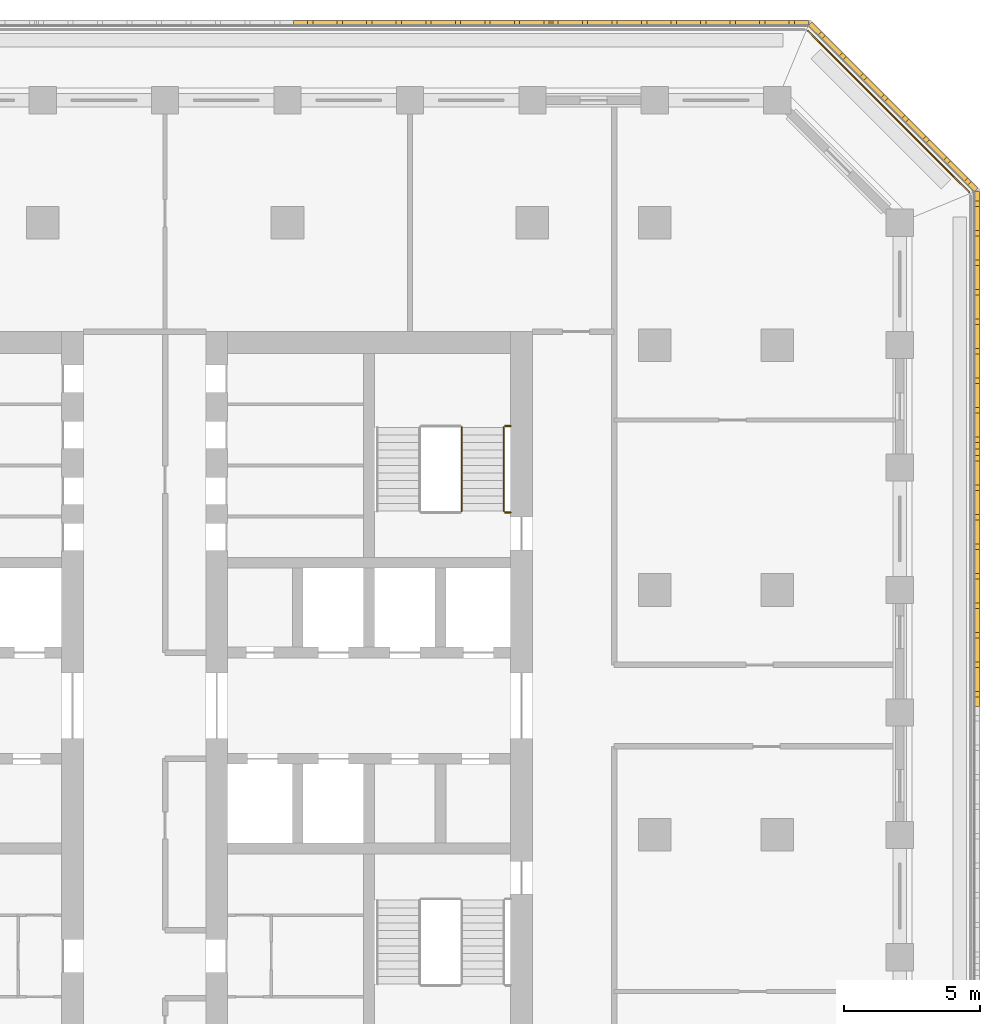
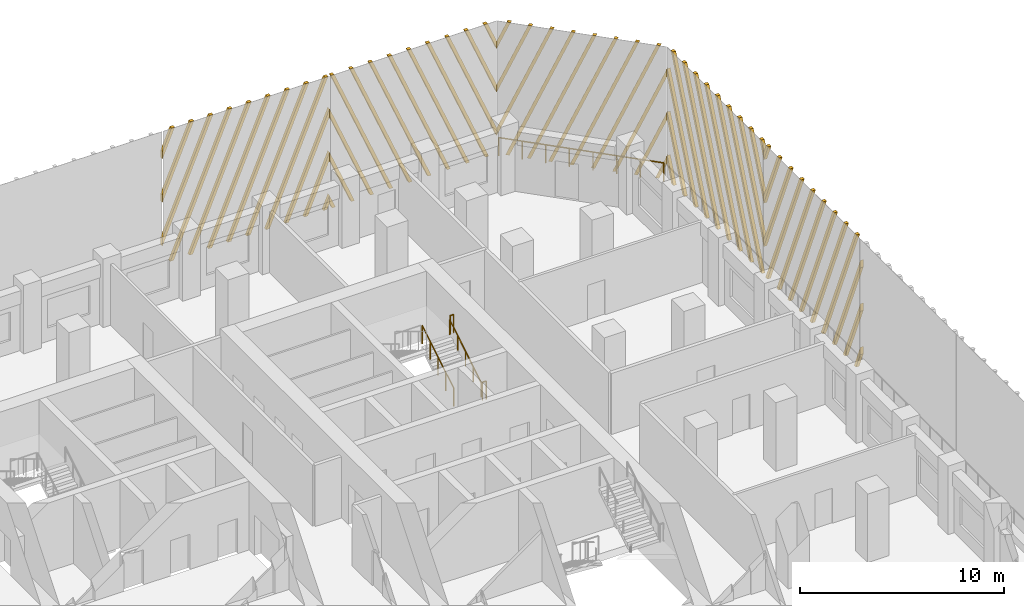
# One storey, part 15 of 16: 5 railings, 5 shading devices.
"""IFC4 building model written with IfcOpenShell, lengths in metres."""

from ifc_helpers import new_model, si_unit, direction, frame, origin, origin_2d, place, context, subcontext, project, spatial, polyline, circle, outline, extrude, source, transform, mapped, material, type_object, element, save


model = new_model("IFC4")

# Units and contexts
model_context = context("Model", 3, precision=1e-05, world=origin(), true_north=direction((0.0, 1.0)))
body_context = subcontext(model_context, "Body", "Model", "MODEL_VIEW")
ifc_project = project(units=[si_unit("LENGTHUNIT", "METRE"), si_unit("AREAUNIT", "SQUARE_METRE"), si_unit("VOLUMEUNIT", "CUBIC_METRE"), si_unit("PLANEANGLEUNIT", "RADIAN"), si_unit("MASSUNIT", "GRAM", prefix="KILO")], contexts=[model_context])

# Site, building, storey
site_placement = place(None, origin())
site = spatial("IfcSite", under=ifc_project, at=site_placement, CompositionType="ELEMENT")
building_placement = place(site_placement, origin())
building = spatial("IfcBuilding", under=site, at=building_placement, Name="Corbel Stack Research Tower", CompositionType="ELEMENT")
storey_placement = place(building_placement, frame((0.0, 0.0, 199.699951171875)))
storey = spatial("IfcBuildingStorey", under=building, at=storey_placement, Name="L45", CompositionType="ELEMENT", Elevation=199.699951171875)

# Railings
ifc_material_1 = material(Name="Steel S355", Category="steel")
railing_type_1 = type_object("IfcRailingType", Name="Stair guard 1100", PredefinedType="GUARDRAIL", material=ifc_material_1)
railing_1_placement = place(storey_placement, frame((15.39990234375, 11.89990234375, 0.1708984375)))
element("IfcRailing", 1, at=railing_1_placement, inside=storey, type_object=railing_type_1, Name="L45 ST-E2 stair guard 1", PredefinedType="GUARDRAIL", context=body_context, shape_type="SweptSolid", body=[
    extrude(circle(Radius=0.02392578125, at=origin_2d()), frame((0.0, 0.0, 1.076171875), z_axis=(0.0, 0.853666305674, 0.52082035152), x_axis=(-1.0, 0.0, 0.0)), (0.0, 0.0, 1.0), 3.608154296875),
    extrude(circle(Radius=0.02099609375, at=origin_2d()), origin(), (0.0, 0.0, 1.0), 1.052001953125),
    extrude(circle(Radius=0.02099609375, at=origin_2d()), frame((0.0, 0.77001953125, 0.4697265625)), (0.0, 0.0, 1.0), 1.052001953125),
    extrude(circle(Radius=0.02099609375, at=origin_2d()), frame((0.0, 1.5400390625, 0.939453125)), (0.0, 0.0, 1.0), 1.052001953125),
    extrude(circle(Radius=0.02099609375, at=origin_2d()), frame((0.0, 2.31005859375, 1.409423828125)), (0.0, 0.0, 1.0), 1.052001953125),
    extrude(circle(Radius=0.02099609375, at=origin_2d()), frame((0.0, 3.080078125, 1.879150390625)), (0.0, 0.0, 1.0), 1.052001953125),
])
for number, where, name in (
    (2, (17.199951171875, 15.030029296875, 2.050048828125), "L45 ST-E2 stair guard 3"),
    (3, (17.199951171875, 11.85009765625, 0.0), "L45 ST-E2 stair guard 6"),
):
    element("IfcRailing", number, at=place(storey_placement, frame(where)), inside=storey, type_object=railing_type_1, Name=name, PredefinedType="GUARDRAIL", context=body_context, shape_type="SweptSolid", body=[
        extrude(circle(Radius=0.02392578125, at=origin_2d()), frame((0.0, 0.0, 1.076171875), z_axis=(-1.0, 0.0, 0.0), x_axis=(0.0, -1.0, 0.0)), (0.0, 0.0, 1.0), 0.199951171875),
        extrude(circle(Radius=0.02099609375, at=origin_2d()), origin(), (0.0, 0.0, 1.0), 1.052001953125),
        extrude(circle(Radius=0.02099609375, at=origin_2d()), frame((-0.199951171875, 0.0, 0.0)), (0.0, 0.0, 1.0), 1.052001953125),
    ])
ifc_material_2 = material(Name="Steel S355", Category="steel")
railing_type_2 = type_object("IfcRailingType", Name="Stair handrail 900", PredefinedType="HANDRAIL", material=ifc_material_2)
railing_2_placement = place(storey_placement, frame((16.949951171875, 11.89990234375, 0.1708984375)))
element("IfcRailing", 4, at=railing_2_placement, inside=storey, type_object=railing_type_2, Name="L45 ST-E2 stair handrail 1", PredefinedType="HANDRAIL", context=body_context, shape_type="SweptSolid", body=[
    extrude(circle(Radius=0.02392578125, at=origin_2d()), frame((0.0, 0.0, 0.8759765625), z_axis=(0.0, 0.853666305674, 0.52082035152), x_axis=(-1.0, 0.0, 0.0)), (0.0, 0.0, 1.0), 3.608154296875),
    extrude(circle(Radius=0.02099609375, at=origin_2d()), origin(), (0.0, 0.0, 1.0), 0.851806640625),
    extrude(circle(Radius=0.02099609375, at=origin_2d()), frame((0.0, 0.77001953125, 0.4697265625)), (0.0, 0.0, 1.0), 0.851806640625),
    extrude(circle(Radius=0.02099609375, at=origin_2d()), frame((0.0, 1.5400390625, 0.939453125)), (0.0, 0.0, 1.0), 0.851806640625),
    extrude(circle(Radius=0.02099609375, at=origin_2d()), frame((0.0, 2.31005859375, 1.409423828125)), (0.0, 0.0, 1.0), 0.851806640625),
    extrude(circle(Radius=0.02099609375, at=origin_2d()), frame((0.0, 3.080078125, 1.879150390625)), (0.0, 0.0, 1.0), 0.851806640625),
])
ifc_material_3 = material(Name="Powder-coated steel guard", Category="steel")
railing_type_3 = type_object("IfcRailingType", Name="Steel and glass guard 1100", PredefinedType="GUARDRAIL", material=ifc_material_3)
railing_3_placement = place(storey_placement, frame((34.04931640625, 23.627685546875, 0.0)))
element("IfcRailing", 5, at=railing_3_placement, inside=storey, type_object=railing_type_3, Name="Loggia guard L45 NE", PredefinedType="GUARDRAIL", context=body_context, shape_type="SweptSolid", body=[
    extrude(circle(Radius=0.02392578125, at=origin_2d()), frame((0.0, 0.0, 1.076171875), z_axis=(-0.707106781187, 0.707106781187, 0.0), x_axis=(-0.707106781187, -0.707106781187, 0.0)), (0.0, 0.0, 1.0), 8.37451171875),
    extrude(circle(Radius=0.02099609375, at=origin_2d()), origin(), (0.0, 0.0, 1.0), 1.052001953125),
    extrude(circle(Radius=0.02099609375, at=origin_2d()), frame((-0.845947265625, 0.845947265625, 0.0)), (0.0, 0.0, 1.0), 1.052001953125),
    extrude(circle(Radius=0.02099609375, at=origin_2d()), frame((-1.69189453125, 1.69189453125, 0.0)), (0.0, 0.0, 1.0), 1.052001953125),
    extrude(circle(Radius=0.02099609375, at=origin_2d()), frame((-2.537841796875, 2.537841796875, 0.0)), (0.0, 0.0, 1.0), 1.052001953125),
    extrude(circle(Radius=0.02099609375, at=origin_2d()), frame((-3.3837890625, 3.3837890625, 0.0)), (0.0, 0.0, 1.0), 1.052001953125),
    extrude(circle(Radius=0.02099609375, at=origin_2d()), frame((-4.229736328125, 4.229736328125, 0.0)), (0.0, 0.0, 1.0), 1.052001953125),
    extrude(circle(Radius=0.02099609375, at=origin_2d()), frame((-5.07568359375, 5.07568359375, 0.0)), (0.0, 0.0, 1.0), 1.052001953125),
    extrude(circle(Radius=0.02099609375, at=origin_2d()), frame((-5.921630859375, 5.921630859375, 0.0)), (0.0, 0.0, 1.0), 1.052001953125),
])

# Shading devices
ifc_material_4 = material(Name="Precast terracotta", Category="masonry")
shading_device_type = type_object("IfcShadingDeviceType", Name="Terracotta screen panel", PredefinedType="USERDEFINED", material=ifc_material_4)
shared_shape_1 = source(origin(), body_context, "Body", "SweptSolid", [
    extrude(outline(polyline([(0.432373046875, 7.949951171875), (0.2421875, 7.949951171875), (0.0, 7.36962890625), (0.0, 6.914794921875), (0.432373046875, 7.949951171875)])), frame((0.0, 0.0, 0.0), z_axis=(0.0, -1.0, 0.0), x_axis=(1.0, 0.0, 0.0)), (0.0, 0.0, 1.0), 0.179931640625),
    extrude(outline(polyline([(1.51708984375, 7.949951171875), (1.326904296875, 7.949951171875), (0.0, 4.7724609375), (0.0, 4.317626953125), (1.51708984375, 7.949951171875)])), frame((0.0, 0.0, 0.0), z_axis=(0.0, -1.0, 0.0), x_axis=(1.0, 0.0, 0.0)), (0.0, 0.0, 1.0), 0.179931640625),
    extrude(outline(polyline([(2.601806640625, 7.949951171875), (2.41162109375, 7.949951171875), (0.0, 2.17529296875), (0.0, 1.720458984375), (2.601806640625, 7.949951171875)])), frame((0.0, 0.0, 0.0), z_axis=(0.0, -1.0, 0.0), x_axis=(1.0, 0.0, 0.0)), (0.0, 0.0, 1.0), 0.179931640625),
    extrude(outline(polyline([(0.3662109375, 0.0), (3.686279296875, 7.949951171875), (3.496337890625, 7.949951171875), (0.17626953125, 0.0), (0.3662109375, 0.0)])), frame((0.0, 0.0, 0.0), z_axis=(0.0, -1.0, 0.0), x_axis=(1.0, 0.0, 0.0)), (0.0, 0.0, 1.0), 0.179931640625),
    extrude(outline(polyline([(1.45068359375, 0.0), (4.77099609375, 7.949951171875), (4.5810546875, 7.949951171875), (1.2607421875, 0.0), (1.45068359375, 0.0)])), frame((0.0, 0.0, 0.0), z_axis=(0.0, -1.0, 0.0), x_axis=(1.0, 0.0, 0.0)), (0.0, 0.0, 1.0), 0.179931640625),
    extrude(outline(polyline([(2.535400390625, 0.0), (5.855712890625, 7.949951171875), (5.665771484375, 7.949951171875), (2.345458984375, 0.0), (2.535400390625, 0.0)])), frame((0.0, 0.0, 0.0), z_axis=(0.0, -1.0, 0.0), x_axis=(1.0, 0.0, 0.0)), (0.0, 0.0, 1.0), 0.179931640625),
    extrude(outline(polyline([(3.6201171875, 0.0), (6.940185546875, 7.949951171875), (6.750244140625, 7.949951171875), (3.43017578125, 0.0), (3.6201171875, 0.0)])), frame((0.0, 0.0, 0.0), z_axis=(0.0, -1.0, 0.0), x_axis=(1.0, 0.0, 0.0)), (0.0, 0.0, 1.0), 0.179931640625),
    extrude(outline(polyline([(4.704833984375, 0.0), (8.02490234375, 7.949951171875), (7.8349609375, 7.949951171875), (4.514892578125, 0.0), (4.704833984375, 0.0)])), frame((0.0, 0.0, 0.0), z_axis=(0.0, -1.0, 0.0), x_axis=(1.0, 0.0, 0.0)), (0.0, 0.0, 1.0), 0.179931640625),
    extrude(outline(polyline([(5.78955078125, 0.0), (9.109619140625, 7.949951171875), (8.919677734375, 7.949951171875), (5.599609375, 0.0), (5.78955078125, 0.0)])), frame((0.0, 0.0, 0.0), z_axis=(0.0, -1.0, 0.0), x_axis=(1.0, 0.0, 0.0)), (0.0, 0.0, 1.0), 0.179931640625),
    extrude(outline(polyline([(6.874267578125, 0.0), (9.45556640625, 6.18115234375), (9.45556640625, 6.63623046875), (6.68408203125, 0.0), (6.874267578125, 0.0)])), frame((0.0, 0.0, 0.0), z_axis=(0.0, -1.0, 0.0), x_axis=(1.0, 0.0, 0.0)), (0.0, 0.0, 1.0), 0.179931640625),
    extrude(outline(polyline([(7.958740234375, 0.0), (9.45556640625, 3.583984375), (9.45556640625, 4.0390625), (7.768798828125, 0.0), (7.958740234375, 0.0)])), frame((0.0, 0.0, 0.0), z_axis=(0.0, -1.0, 0.0), x_axis=(1.0, 0.0, 0.0)), (0.0, 0.0, 1.0), 0.179931640625),
    extrude(outline(polyline([(9.04345703125, 0.0), (9.45556640625, 0.98681640625), (9.45556640625, 1.44189453125), (8.853515625, 0.0), (9.04345703125, 0.0)])), frame((0.0, 0.0, 0.0), z_axis=(0.0, -1.0, 0.0), x_axis=(1.0, 0.0, 0.0)), (0.0, 0.0, 1.0), 0.179931640625),
])
shading_device_1_placement = place(storey_placement, frame((34.25, 14.18359375, 0.0), z_axis=(0.0, 0.0, 1.0), x_axis=(0.0, 1.0, 0.0)))
element("IfcShadingDevice", 6, at=shading_device_1_placement, inside=storey, type_object=shading_device_type, Name="Terracotta screen L45 E5", ObjectType="SCREEN", PredefinedType="USERDEFINED", context=body_context, shape_type="MappedRepresentation", body=[
    mapped(shared_shape_1, transform((0.0, 0.0, 0.0))),
])
shared_shape_2 = source(origin(), body_context, "Body", "SweptSolid", [
    extrude(outline(polyline([(0.60205078125, 0.0), (0.0, 1.44189453125), (0.0, 0.98681640625), (0.412109375, 0.0), (0.60205078125, 0.0)])), frame((0.0, 0.0, 0.0), z_axis=(0.0, -1.0, 0.0), x_axis=(1.0, 0.0, 0.0)), (0.0, 0.0, 1.0), 0.179931640625),
    extrude(outline(polyline([(1.686767578125, 0.0), (0.0, 4.0390625), (0.0, 3.583984375), (1.496826171875, 0.0), (1.686767578125, 0.0)])), frame((0.0, 0.0, 0.0), z_axis=(0.0, -1.0, 0.0), x_axis=(1.0, 0.0, 0.0)), (0.0, 0.0, 1.0), 0.179931640625),
    extrude(outline(polyline([(2.771484375, 0.0), (0.0, 6.63623046875), (0.0, 6.18115234375), (2.58154296875, 0.0), (2.771484375, 0.0)])), frame((0.0, 0.0, 0.0), z_axis=(0.0, -1.0, 0.0), x_axis=(1.0, 0.0, 0.0)), (0.0, 0.0, 1.0), 0.179931640625),
    extrude(outline(polyline([(3.856201171875, 0.0), (0.535888671875, 7.949951171875), (0.345947265625, 7.949951171875), (3.666015625, 0.0), (3.856201171875, 0.0)])), frame((0.0, 0.0, 0.0), z_axis=(0.0, -1.0, 0.0), x_axis=(1.0, 0.0, 0.0)), (0.0, 0.0, 1.0), 0.179931640625),
    extrude(outline(polyline([(4.94091796875, 0.0), (1.62060546875, 7.949951171875), (1.4306640625, 7.949951171875), (4.750732421875, 0.0), (4.94091796875, 0.0)])), frame((0.0, 0.0, 0.0), z_axis=(0.0, -1.0, 0.0), x_axis=(1.0, 0.0, 0.0)), (0.0, 0.0, 1.0), 0.179931640625),
    extrude(outline(polyline([(6.025390625, 0.0), (2.705322265625, 7.949951171875), (2.515380859375, 7.949951171875), (5.83544921875, 0.0), (6.025390625, 0.0)])), frame((0.0, 0.0, 0.0), z_axis=(0.0, -1.0, 0.0), x_axis=(1.0, 0.0, 0.0)), (0.0, 0.0, 1.0), 0.179931640625),
    extrude(outline(polyline([(7.110107421875, 0.0), (3.7900390625, 7.949951171875), (3.60009765625, 7.949951171875), (6.920166015625, 0.0), (7.110107421875, 0.0)])), frame((0.0, 0.0, 0.0), z_axis=(0.0, -1.0, 0.0), x_axis=(1.0, 0.0, 0.0)), (0.0, 0.0, 1.0), 0.179931640625),
    extrude(outline(polyline([(8.19482421875, 0.0), (4.87451171875, 7.949951171875), (4.6845703125, 7.949951171875), (8.0048828125, 0.0), (8.19482421875, 0.0)])), frame((0.0, 0.0, 0.0), z_axis=(0.0, -1.0, 0.0), x_axis=(1.0, 0.0, 0.0)), (0.0, 0.0, 1.0), 0.179931640625),
    extrude(outline(polyline([(9.279541015625, 0.0), (5.959228515625, 7.949951171875), (5.769287109375, 7.949951171875), (9.089599609375, 0.0), (9.279541015625, 0.0)])), frame((0.0, 0.0, 0.0), z_axis=(0.0, -1.0, 0.0), x_axis=(1.0, 0.0, 0.0)), (0.0, 0.0, 1.0), 0.179931640625),
    extrude(outline(polyline([(7.0439453125, 7.949951171875), (6.85400390625, 7.949951171875), (9.45556640625, 1.720458984375), (9.45556640625, 2.17529296875), (7.0439453125, 7.949951171875)])), frame((0.0, 0.0, 0.0), z_axis=(0.0, -1.0, 0.0), x_axis=(1.0, 0.0, 0.0)), (0.0, 0.0, 1.0), 0.179931640625),
    extrude(outline(polyline([(8.128662109375, 7.949951171875), (7.938720703125, 7.949951171875), (9.45556640625, 4.317626953125), (9.45556640625, 4.7724609375), (8.128662109375, 7.949951171875)])), frame((0.0, 0.0, 0.0), z_axis=(0.0, -1.0, 0.0), x_axis=(1.0, 0.0, 0.0)), (0.0, 0.0, 1.0), 0.179931640625),
    extrude(outline(polyline([(9.21337890625, 7.949951171875), (9.023193359375, 7.949951171875), (9.45556640625, 6.914794921875), (9.45556640625, 7.36962890625), (9.21337890625, 7.949951171875)])), frame((0.0, 0.0, 0.0), z_axis=(0.0, -1.0, 0.0), x_axis=(1.0, 0.0, 0.0)), (0.0, 0.0, 1.0), 0.179931640625),
])
shading_device_2_placement = place(storey_placement, frame((34.25, 4.727783203125, 0.0), z_axis=(0.0, 0.0, 1.0), x_axis=(0.0, 1.0, 0.0)))
element("IfcShadingDevice", 7, at=shading_device_2_placement, inside=storey, type_object=shading_device_type, Name="Terracotta screen L45 E4", ObjectType="SCREEN", PredefinedType="USERDEFINED", context=body_context, shape_type="MappedRepresentation", body=[
    mapped(shared_shape_2, transform((0.0, 0.0, 0.0))),
])
shared_shape_3 = source(origin(), body_context, "Body", "SweptSolid", [
    extrude(outline(polyline([(0.60205078125, 0.0), (0.0, 1.44189453125), (0.0, 0.98681640625), (0.412109375, 0.0), (0.60205078125, 0.0)])), frame((0.0, 0.0, 0.0), z_axis=(0.0, -1.0, 0.0), x_axis=(1.0, 0.0, 0.0)), (0.0, 0.0, 1.0), 0.179931640625),
    extrude(outline(polyline([(1.686767578125, 0.0), (0.0, 4.0390625), (0.0, 3.583984375), (1.496826171875, 0.0), (1.686767578125, 0.0)])), frame((0.0, 0.0, 0.0), z_axis=(0.0, -1.0, 0.0), x_axis=(1.0, 0.0, 0.0)), (0.0, 0.0, 1.0), 0.179931640625),
    extrude(outline(polyline([(2.771484375, 0.0), (0.0, 6.63623046875), (0.0, 6.18115234375), (2.58154296875, 0.0), (2.771484375, 0.0)])), frame((0.0, 0.0, 0.0), z_axis=(0.0, -1.0, 0.0), x_axis=(1.0, 0.0, 0.0)), (0.0, 0.0, 1.0), 0.179931640625),
    extrude(outline(polyline([(3.856201171875, 0.0), (0.535888671875, 7.949951171875), (0.345947265625, 7.949951171875), (3.666015625, 0.0), (3.856201171875, 0.0)])), frame((0.0, 0.0, 0.0), z_axis=(0.0, -1.0, 0.0), x_axis=(1.0, 0.0, 0.0)), (0.0, 0.0, 1.0), 0.179931640625),
    extrude(outline(polyline([(4.94091796875, 0.0), (1.62060546875, 7.949951171875), (1.4306640625, 7.949951171875), (4.750732421875, 0.0), (4.94091796875, 0.0)])), frame((0.0, 0.0, 0.0), z_axis=(0.0, -1.0, 0.0), x_axis=(1.0, 0.0, 0.0)), (0.0, 0.0, 1.0), 0.179931640625),
    extrude(outline(polyline([(6.025390625, 0.0), (2.705322265625, 7.949951171875), (2.515380859375, 7.949951171875), (5.83544921875, 0.0), (6.025390625, 0.0)])), frame((0.0, 0.0, 0.0), z_axis=(0.0, -1.0, 0.0), x_axis=(1.0, 0.0, 0.0)), (0.0, 0.0, 1.0), 0.179931640625),
    extrude(outline(polyline([(7.110107421875, 0.0), (3.7900390625, 7.949951171875), (3.60009765625, 7.949951171875), (6.920166015625, 0.0), (7.110107421875, 0.0)])), frame((0.0, 0.0, 0.0), z_axis=(0.0, -1.0, 0.0), x_axis=(1.0, 0.0, 0.0)), (0.0, 0.0, 1.0), 0.179931640625),
    extrude(outline(polyline([(8.19482421875, 0.0), (4.87451171875, 7.949951171875), (4.6845703125, 7.949951171875), (8.0048828125, 0.0), (8.19482421875, 0.0)])), frame((0.0, 0.0, 0.0), z_axis=(0.0, -1.0, 0.0), x_axis=(1.0, 0.0, 0.0)), (0.0, 0.0, 1.0), 0.179931640625),
    extrude(outline(polyline([(5.959228515625, 7.949951171875), (5.769287109375, 7.949951171875), (8.64208984375, 1.071044921875), (8.64208984375, 1.526123046875), (5.959228515625, 7.949951171875)])), frame((0.0, 0.0, 0.0), z_axis=(0.0, -1.0, 0.0), x_axis=(1.0, 0.0, 0.0)), (0.0, 0.0, 1.0), 0.179931640625),
    extrude(outline(polyline([(7.0439453125, 7.949951171875), (6.85400390625, 7.949951171875), (8.64208984375, 3.668212890625), (8.64208984375, 4.123291015625), (7.0439453125, 7.949951171875)])), frame((0.0, 0.0, 0.0), z_axis=(0.0, -1.0, 0.0), x_axis=(1.0, 0.0, 0.0)), (0.0, 0.0, 1.0), 0.179931640625),
    extrude(outline(polyline([(8.128662109375, 7.949951171875), (7.938720703125, 7.949951171875), (8.64208984375, 6.265380859375), (8.64208984375, 6.720458984375), (8.128662109375, 7.949951171875)])), frame((0.0, 0.0, 0.0), z_axis=(0.0, -1.0, 0.0), x_axis=(1.0, 0.0, 0.0)), (0.0, 0.0, 1.0), 0.179931640625),
])
shading_device_3_placement = place(storey_placement, frame((34.25, 23.63916015625, 0.0), z_axis=(0.0, 0.0, 1.0), x_axis=(-0.707106781187, 0.707106781187, 0.0)))
element("IfcShadingDevice", 8, at=shading_device_3_placement, inside=storey, type_object=shading_device_type, Name="Terracotta screen L45 NE1", ObjectType="SCREEN", PredefinedType="USERDEFINED", context=body_context, shape_type="MappedRepresentation", body=[
    mapped(shared_shape_3, transform((0.0, 0.0, 0.0))),
])
shared_shape_4 = source(origin(), body_context, "Body", "SweptSolid", [
    extrude(outline(polyline([(0.70361328125, 7.949951171875), (0.513427734375, 7.949951171875), (0.0, 6.720458984375), (0.0, 6.265380859375), (0.70361328125, 7.949951171875)])), frame((0.0, 0.0, 0.0), z_axis=(0.0, -1.0, 0.0), x_axis=(1.0, 0.0, 0.0)), (0.0, 0.0, 1.0), 0.179931640625),
    extrude(outline(polyline([(1.7880859375, 7.949951171875), (1.59814453125, 7.949951171875), (0.0, 4.123291015625), (0.0, 3.668212890625), (1.7880859375, 7.949951171875)])), frame((0.0, 0.0, 0.0), z_axis=(0.0, -1.0, 0.0), x_axis=(1.0, 0.0, 0.0)), (0.0, 0.0, 1.0), 0.179931640625),
    extrude(outline(polyline([(2.872802734375, 7.949951171875), (2.682861328125, 7.949951171875), (0.0, 1.526123046875), (0.0, 1.071044921875), (2.872802734375, 7.949951171875)])), frame((0.0, 0.0, 0.0), z_axis=(0.0, -1.0, 0.0), x_axis=(1.0, 0.0, 0.0)), (0.0, 0.0, 1.0), 0.179931640625),
    extrude(outline(polyline([(0.63720703125, 0.0), (3.95751953125, 7.949951171875), (3.767578125, 7.949951171875), (0.447265625, 0.0), (0.63720703125, 0.0)])), frame((0.0, 0.0, 0.0), z_axis=(0.0, -1.0, 0.0), x_axis=(1.0, 0.0, 0.0)), (0.0, 0.0, 1.0), 0.179931640625),
    extrude(outline(polyline([(1.721923828125, 0.0), (5.042236328125, 7.949951171875), (4.852294921875, 7.949951171875), (1.531982421875, 0.0), (1.721923828125, 0.0)])), frame((0.0, 0.0, 0.0), z_axis=(0.0, -1.0, 0.0), x_axis=(1.0, 0.0, 0.0)), (0.0, 0.0, 1.0), 0.179931640625),
    extrude(outline(polyline([(2.806640625, 0.0), (6.126708984375, 7.949951171875), (5.936767578125, 7.949951171875), (2.61669921875, 0.0), (2.806640625, 0.0)])), frame((0.0, 0.0, 0.0), z_axis=(0.0, -1.0, 0.0), x_axis=(1.0, 0.0, 0.0)), (0.0, 0.0, 1.0), 0.179931640625),
    extrude(outline(polyline([(3.891357421875, 0.0), (7.21142578125, 7.949951171875), (7.021484375, 7.949951171875), (3.701416015625, 0.0), (3.891357421875, 0.0)])), frame((0.0, 0.0, 0.0), z_axis=(0.0, -1.0, 0.0), x_axis=(1.0, 0.0, 0.0)), (0.0, 0.0, 1.0), 0.179931640625),
    extrude(outline(polyline([(4.97607421875, 0.0), (8.296142578125, 7.949951171875), (8.106201171875, 7.949951171875), (4.785888671875, 0.0), (4.97607421875, 0.0)])), frame((0.0, 0.0, 0.0), z_axis=(0.0, -1.0, 0.0), x_axis=(1.0, 0.0, 0.0)), (0.0, 0.0, 1.0), 0.179931640625),
    extrude(outline(polyline([(6.060791015625, 0.0), (9.380859375, 7.949951171875), (9.19091796875, 7.949951171875), (5.87060546875, 0.0), (6.060791015625, 0.0)])), frame((0.0, 0.0, 0.0), z_axis=(0.0, -1.0, 0.0), x_axis=(1.0, 0.0, 0.0)), (0.0, 0.0, 1.0), 0.179931640625),
    extrude(outline(polyline([(7.145263671875, 0.0), (9.45556640625, 5.531982421875), (9.45556640625, 5.98681640625), (6.955322265625, 0.0), (7.145263671875, 0.0)])), frame((0.0, 0.0, 0.0), z_axis=(0.0, -1.0, 0.0), x_axis=(1.0, 0.0, 0.0)), (0.0, 0.0, 1.0), 0.179931640625),
    extrude(outline(polyline([(8.22998046875, 0.0), (9.45556640625, 2.934814453125), (9.45556640625, 3.3896484375), (8.0400390625, 0.0), (8.22998046875, 0.0)])), frame((0.0, 0.0, 0.0), z_axis=(0.0, -1.0, 0.0), x_axis=(1.0, 0.0, 0.0)), (0.0, 0.0, 1.0), 0.179931640625),
    extrude(outline(polyline([(9.314697265625, 0.0), (9.45556640625, 0.337646484375), (9.45556640625, 0.79248046875), (9.124755859375, 0.0), (9.314697265625, 0.0)])), frame((0.0, 0.0, 0.0), z_axis=(0.0, -1.0, 0.0), x_axis=(1.0, 0.0, 0.0)), (0.0, 0.0, 1.0), 0.179931640625),
])
shading_device_4_placement = place(storey_placement, frame((28.13916015625, 29.75, 0.0), z_axis=(0.0, 0.0, 1.0), x_axis=(-1.0, 0.0, 0.0)))
element("IfcShadingDevice", 9, at=shading_device_4_placement, inside=storey, type_object=shading_device_type, Name="Terracotta screen L45 N1", ObjectType="SCREEN", PredefinedType="USERDEFINED", context=body_context, shape_type="MappedRepresentation", body=[
    mapped(shared_shape_4, transform((0.0, 0.0, 0.0))),
])
shared_shape_5 = source(origin(), body_context, "Body", "SweptSolid", [
    extrude(outline(polyline([(0.3310546875, 0.0), (0.0, 0.79248046875), (0.0, 0.337646484375), (0.14111328125, 0.0), (0.3310546875, 0.0)])), frame((0.0, 0.0, 0.0), z_axis=(0.0, -1.0, 0.0), x_axis=(1.0, 0.0, 0.0)), (0.0, 0.0, 1.0), 0.179931640625),
    extrude(outline(polyline([(1.41552734375, 0.0), (0.0, 3.3896484375), (0.0, 2.934814453125), (1.2255859375, 0.0), (1.41552734375, 0.0)])), frame((0.0, 0.0, 0.0), z_axis=(0.0, -1.0, 0.0), x_axis=(1.0, 0.0, 0.0)), (0.0, 0.0, 1.0), 0.179931640625),
    extrude(outline(polyline([(2.500244140625, 0.0), (0.0, 5.98681640625), (0.0, 5.531982421875), (2.310302734375, 0.0), (2.500244140625, 0.0)])), frame((0.0, 0.0, 0.0), z_axis=(0.0, -1.0, 0.0), x_axis=(1.0, 0.0, 0.0)), (0.0, 0.0, 1.0), 0.179931640625),
    extrude(outline(polyline([(3.5849609375, 0.0), (0.264892578125, 7.949951171875), (0.07470703125, 7.949951171875), (3.39501953125, 0.0), (3.5849609375, 0.0)])), frame((0.0, 0.0, 0.0), z_axis=(0.0, -1.0, 0.0), x_axis=(1.0, 0.0, 0.0)), (0.0, 0.0, 1.0), 0.179931640625),
    extrude(outline(polyline([(4.669677734375, 0.0), (1.349609375, 7.949951171875), (1.159423828125, 7.949951171875), (4.4794921875, 0.0), (4.669677734375, 0.0)])), frame((0.0, 0.0, 0.0), z_axis=(0.0, -1.0, 0.0), x_axis=(1.0, 0.0, 0.0)), (0.0, 0.0, 1.0), 0.179931640625),
    extrude(outline(polyline([(5.75439453125, 0.0), (2.43408203125, 7.949951171875), (2.244140625, 7.949951171875), (5.564208984375, 0.0), (5.75439453125, 0.0)])), frame((0.0, 0.0, 0.0), z_axis=(0.0, -1.0, 0.0), x_axis=(1.0, 0.0, 0.0)), (0.0, 0.0, 1.0), 0.179931640625),
    extrude(outline(polyline([(6.839111328125, 0.0), (3.518798828125, 7.949951171875), (3.328857421875, 7.949951171875), (6.64892578125, 0.0), (6.839111328125, 0.0)])), frame((0.0, 0.0, 0.0), z_axis=(0.0, -1.0, 0.0), x_axis=(1.0, 0.0, 0.0)), (0.0, 0.0, 1.0), 0.179931640625),
    extrude(outline(polyline([(7.923583984375, 0.0), (4.603515625, 7.949951171875), (4.41357421875, 7.949951171875), (7.733642578125, 0.0), (7.923583984375, 0.0)])), frame((0.0, 0.0, 0.0), z_axis=(0.0, -1.0, 0.0), x_axis=(1.0, 0.0, 0.0)), (0.0, 0.0, 1.0), 0.179931640625),
    extrude(outline(polyline([(9.00830078125, 0.0), (5.68798828125, 7.949951171875), (5.498046875, 7.949951171875), (8.818359375, 0.0), (9.00830078125, 0.0)])), frame((0.0, 0.0, 0.0), z_axis=(0.0, -1.0, 0.0), x_axis=(1.0, 0.0, 0.0)), (0.0, 0.0, 1.0), 0.179931640625),
    extrude(outline(polyline([(6.772705078125, 7.949951171875), (6.582763671875, 7.949951171875), (9.45556640625, 1.071044921875), (9.45556640625, 1.526123046875), (6.772705078125, 7.949951171875)])), frame((0.0, 0.0, 0.0), z_axis=(0.0, -1.0, 0.0), x_axis=(1.0, 0.0, 0.0)), (0.0, 0.0, 1.0), 0.179931640625),
    extrude(outline(polyline([(7.857421875, 7.949951171875), (7.66748046875, 7.949951171875), (9.45556640625, 3.668212890625), (9.45556640625, 4.123291015625), (7.857421875, 7.949951171875)])), frame((0.0, 0.0, 0.0), z_axis=(0.0, -1.0, 0.0), x_axis=(1.0, 0.0, 0.0)), (0.0, 0.0, 1.0), 0.179931640625),
    extrude(outline(polyline([(8.942138671875, 7.949951171875), (8.752197265625, 7.949951171875), (9.45556640625, 6.265380859375), (9.45556640625, 6.720458984375), (8.942138671875, 7.949951171875)])), frame((0.0, 0.0, 0.0), z_axis=(0.0, -1.0, 0.0), x_axis=(1.0, 0.0, 0.0)), (0.0, 0.0, 1.0), 0.179931640625),
])
shading_device_5_placement = place(storey_placement, frame((18.68359375, 29.75, 0.0), z_axis=(0.0, 0.0, 1.0), x_axis=(-1.0, 0.0, 0.0)))
element("IfcShadingDevice", 10, at=shading_device_5_placement, inside=storey, type_object=shading_device_type, Name="Terracotta screen L45 N2", ObjectType="SCREEN", PredefinedType="USERDEFINED", context=body_context, shape_type="MappedRepresentation", body=[
    mapped(shared_shape_5, transform((0.0, 0.0, 0.0))),
])

save(model, "model.ifc")
